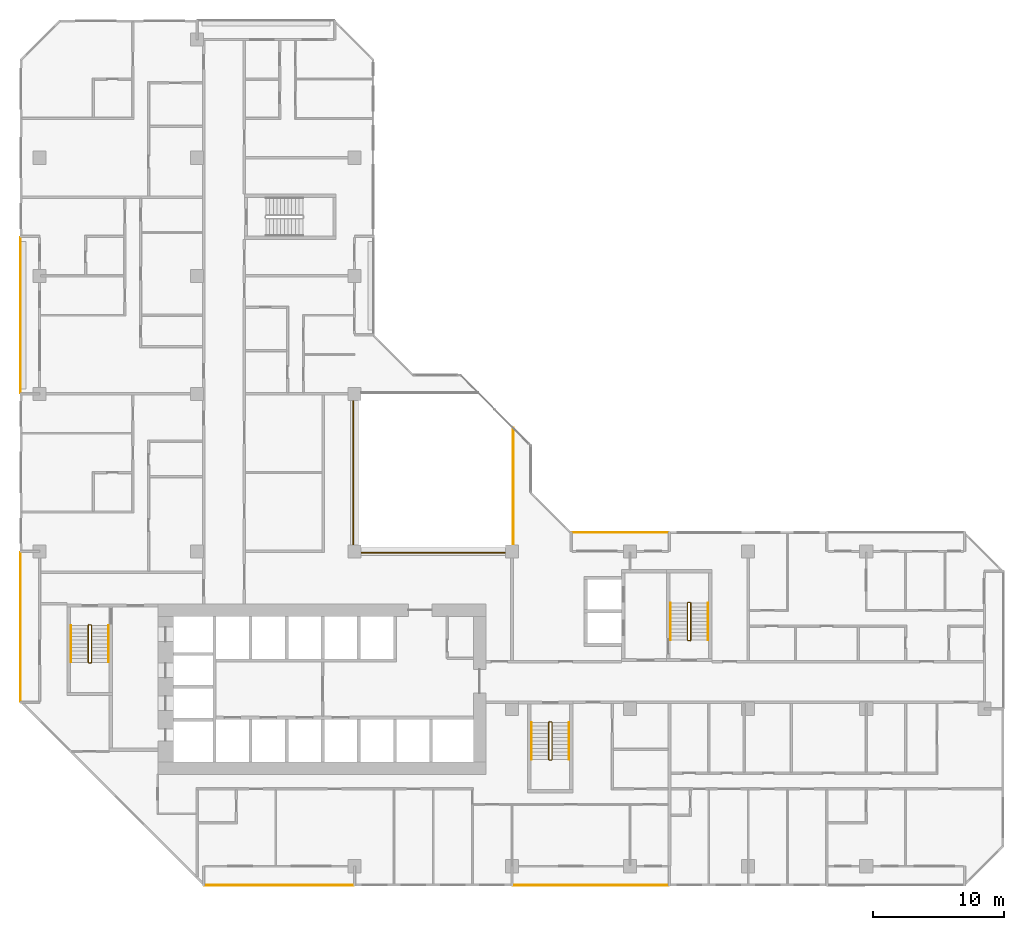
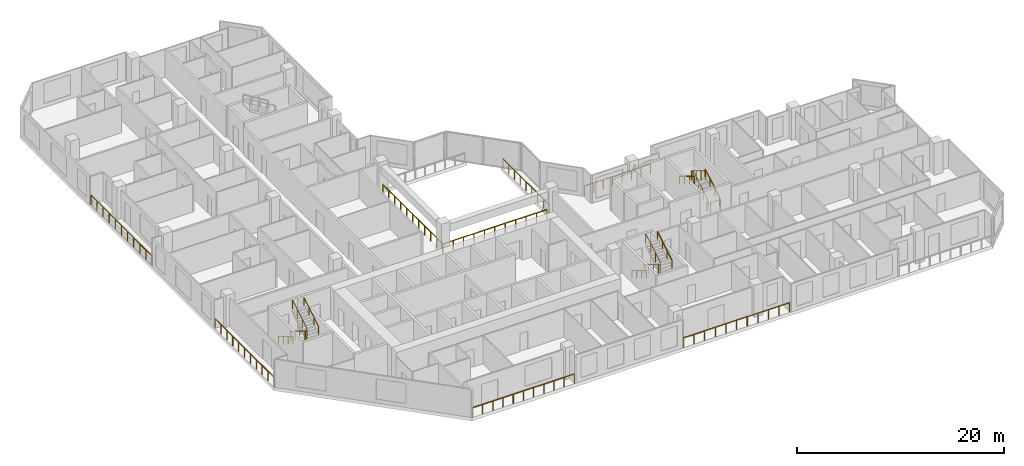
# One storey, part 14 of 15: 16 railings.
"""IFC4 building model written with IfcOpenShell, lengths in metres."""

from ifc_helpers import new_model, si_unit, direction, frame, origin, origin_2d, place, context, subcontext, project, spatial, rectangle, extrude, material, type_object, element, save


model = new_model("IFC4")

# Units and contexts
model_context = context("Model", 3, precision=1e-05, world=origin(), true_north=direction((0.0, 1.0)))
body_context = subcontext(model_context, "Body", "Model", "MODEL_VIEW")
ifc_project = project(units=[si_unit("LENGTHUNIT", "METRE"), si_unit("AREAUNIT", "SQUARE_METRE"), si_unit("VOLUMEUNIT", "CUBIC_METRE"), si_unit("PLANEANGLEUNIT", "RADIAN"), si_unit("MASSUNIT", "GRAM", prefix="KILO")], contexts=[model_context])

# Site, building, storey
site_placement = place(None, origin())
site = spatial("IfcSite", under=ifc_project, at=site_placement, CompositionType="ELEMENT")
building_placement = place(site_placement, origin())
building = spatial("IfcBuilding", under=site, at=building_placement, Name="Chenar Terraces", CompositionType="ELEMENT")
storey_placement = place(building_placement, frame((0.0, 0.0, 136.89990234375)))
storey = spatial("IfcBuildingStorey", under=building, at=storey_placement, Name="L32", CompositionType="ELEMENT", Elevation=136.89990234375)

# Railings
ifc_material_1 = material(Name="Powder-coated steel", Category="steel")
railing_type_1 = type_object("IfcRailingType", Name="Guard 1100 steel rail with glass infill", PredefinedType="GUARDRAIL", material=ifc_material_1)
railing_1_placement = place(storey_placement, frame((23.89990234375, 35.5, 0.0)))
element("IfcRailing", 1, at=railing_1_placement, inside=storey, type_object=railing_type_1, Name="Guard L32-1", PredefinedType="GUARDRAIL", context=body_context, shape_type="SweptSolid", body=[
    extrude(rectangle(XDim=0.06005859375, YDim=0.06005859375, at=origin_2d()), frame((0.0, 0.0, 1.070068359375), z_axis=(0.0, -1.0, 0.0), x_axis=(1.0, 0.0, 0.0)), (0.0, 0.0, 1.0), 11.60009765625),
    extrude(rectangle(XDim=0.06005859375, YDim=0.06005859375, at=origin_2d()), frame((0.0, -11.60009765625, 1.070068359375), z_axis=(1.0, 0.0, 0.0), x_axis=(0.0, 1.0, 0.0)), (0.0, 0.0, 1.0), 11.60009765625),
    extrude(rectangle(XDim=0.050048828125, YDim=0.050048828125, at=origin_2d()), origin(), (0.0, 0.0, 1.0), 1.0400390625),
    extrude(rectangle(XDim=0.050048828125, YDim=0.050048828125, at=origin_2d()), frame((0.0, -1.159912109375, 0.0)), (0.0, 0.0, 1.0), 1.0400390625),
    extrude(rectangle(XDim=0.050048828125, YDim=0.050048828125, at=origin_2d()), frame((0.0, -2.320068359375, 0.0)), (0.0, 0.0, 1.0), 1.0400390625),
    extrude(rectangle(XDim=0.050048828125, YDim=0.050048828125, at=origin_2d()), frame((0.0, -3.47998046875, 0.0)), (0.0, 0.0, 1.0), 1.0400390625),
    extrude(rectangle(XDim=0.050048828125, YDim=0.050048828125, at=origin_2d()), frame((0.0, -4.64013671875, 0.0)), (0.0, 0.0, 1.0), 1.0400390625),
    extrude(rectangle(XDim=0.050048828125, YDim=0.050048828125, at=origin_2d()), frame((0.0, -5.800048828125, 0.0)), (0.0, 0.0, 1.0), 1.0400390625),
    extrude(rectangle(XDim=0.050048828125, YDim=0.050048828125, at=origin_2d()), frame((0.0, -6.9599609375, 0.0)), (0.0, 0.0, 1.0), 1.0400390625),
    extrude(rectangle(XDim=0.050048828125, YDim=0.050048828125, at=origin_2d()), frame((0.0, -8.1201171875, 0.0)), (0.0, 0.0, 1.0), 1.0400390625),
    extrude(rectangle(XDim=0.050048828125, YDim=0.050048828125, at=origin_2d()), frame((0.0, -9.280029296875, 0.0)), (0.0, 0.0, 1.0), 1.0400390625),
    extrude(rectangle(XDim=0.050048828125, YDim=0.050048828125, at=origin_2d()), frame((0.0, -10.440185546875, 0.0)), (0.0, 0.0, 1.0), 1.0400390625),
    extrude(rectangle(XDim=0.050048828125, YDim=0.050048828125, at=origin_2d()), frame((0.0, -11.60009765625, 0.0)), (0.0, 0.0, 1.0), 1.0400390625),
    extrude(rectangle(XDim=0.050048828125, YDim=0.050048828125, at=origin_2d()), frame((1.159912109375, -11.60009765625, 0.0)), (0.0, 0.0, 1.0), 1.0400390625),
    extrude(rectangle(XDim=0.050048828125, YDim=0.050048828125, at=origin_2d()), frame((2.320068359375, -11.60009765625, 0.0)), (0.0, 0.0, 1.0), 1.0400390625),
    extrude(rectangle(XDim=0.050048828125, YDim=0.050048828125, at=origin_2d()), frame((3.47998046875, -11.60009765625, 0.0)), (0.0, 0.0, 1.0), 1.0400390625),
    extrude(rectangle(XDim=0.050048828125, YDim=0.050048828125, at=origin_2d()), frame((4.64013671875, -11.60009765625, 0.0)), (0.0, 0.0, 1.0), 1.0400390625),
    extrude(rectangle(XDim=0.050048828125, YDim=0.050048828125, at=origin_2d()), frame((5.800048828125, -11.60009765625, 0.0)), (0.0, 0.0, 1.0), 1.0400390625),
    extrude(rectangle(XDim=0.050048828125, YDim=0.050048828125, at=origin_2d()), frame((6.9599609375, -11.60009765625, 0.0)), (0.0, 0.0, 1.0), 1.0400390625),
    extrude(rectangle(XDim=0.050048828125, YDim=0.050048828125, at=origin_2d()), frame((8.1201171875, -11.60009765625, 0.0)), (0.0, 0.0, 1.0), 1.0400390625),
    extrude(rectangle(XDim=0.050048828125, YDim=0.050048828125, at=origin_2d()), frame((9.280029296875, -11.60009765625, 0.0)), (0.0, 0.0, 1.0), 1.0400390625),
    extrude(rectangle(XDim=0.050048828125, YDim=0.050048828125, at=origin_2d()), frame((10.440185546875, -11.60009765625, 0.0)), (0.0, 0.0, 1.0), 1.0400390625),
    extrude(rectangle(XDim=0.050048828125, YDim=0.050048828125, at=origin_2d()), frame((11.60009765625, -11.60009765625, 0.0)), (0.0, 0.0, 1.0), 1.0400390625),
])
railing_2_placement = place(storey_placement, frame((36.10009765625, 24.550048828125, 0.0)))
element("IfcRailing", 2, at=railing_2_placement, inside=storey, type_object=railing_type_1, Name="Guard L32-3", PredefinedType="GUARDRAIL", context=body_context, shape_type="SweptSolid", body=[
    extrude(rectangle(XDim=0.06005859375, YDim=0.06005859375, at=origin_2d()), frame((0.0, 0.0, 1.070068359375), z_axis=(0.0, 1.0, 0.0), x_axis=(-1.0, 0.0, 0.0)), (0.0, 0.0, 1.0), 8.849853515625),
    extrude(rectangle(XDim=0.050048828125, YDim=0.050048828125, at=origin_2d()), origin(), (0.0, 0.0, 1.0), 1.0400390625),
    extrude(rectangle(XDim=0.050048828125, YDim=0.050048828125, at=origin_2d()), frame((0.0, 1.106201171875, 0.0)), (0.0, 0.0, 1.0), 1.0400390625),
    extrude(rectangle(XDim=0.050048828125, YDim=0.050048828125, at=origin_2d()), frame((0.0, 2.21240234375, 0.0)), (0.0, 0.0, 1.0), 1.0400390625),
    extrude(rectangle(XDim=0.050048828125, YDim=0.050048828125, at=origin_2d()), frame((0.0, 3.318603515625, 0.0)), (0.0, 0.0, 1.0), 1.0400390625),
    extrude(rectangle(XDim=0.050048828125, YDim=0.050048828125, at=origin_2d()), frame((0.0, 4.4248046875, 0.0)), (0.0, 0.0, 1.0), 1.0400390625),
    extrude(rectangle(XDim=0.050048828125, YDim=0.050048828125, at=origin_2d()), frame((0.0, 5.53125, 0.0)), (0.0, 0.0, 1.0), 1.0400390625),
    extrude(rectangle(XDim=0.050048828125, YDim=0.050048828125, at=origin_2d()), frame((0.0, 6.637451171875, 0.0)), (0.0, 0.0, 1.0), 1.0400390625),
    extrude(rectangle(XDim=0.050048828125, YDim=0.050048828125, at=origin_2d()), frame((0.0, 7.74365234375, 0.0)), (0.0, 0.0, 1.0), 1.0400390625),
    extrude(rectangle(XDim=0.050048828125, YDim=0.050048828125, at=origin_2d()), frame((0.0, 8.849853515625, 0.0)), (0.0, 0.0, 1.0), 1.0400390625),
])
ifc_material_2 = material(Name="Stainless steel and glass", Category="steel")
railing_type_2 = type_object("IfcRailingType", Name="Loggia guard 1150", PredefinedType="GUARDRAIL", material=ifc_material_2)
railing_3_placement = place(storey_placement, frame((47.925048828125, 25.449951171875, 0.0)))
element("IfcRailing", 3, at=railing_3_placement, inside=storey, type_object=railing_type_2, Name="Loggia guard", PredefinedType="GUARDRAIL", context=body_context, shape_type="SweptSolid", body=[
    extrude(rectangle(XDim=0.048095703125, YDim=0.048095703125, at=origin_2d()), frame((0.0, 0.0, 1.1259765625), z_axis=(-1.0, 0.0, 0.0), x_axis=(0.0, -1.0, 0.0)), (0.0, 0.0, 1.0), 7.35009765625),
    extrude(rectangle(XDim=0.0419921875, YDim=0.0419921875, at=origin_2d()), origin(), (0.0, 0.0, 1.0), 1.101806640625),
    extrude(rectangle(XDim=0.0419921875, YDim=0.0419921875, at=origin_2d()), frame((-1.050048828125, 0.0, 0.0)), (0.0, 0.0, 1.0), 1.101806640625),
    extrude(rectangle(XDim=0.0419921875, YDim=0.0419921875, at=origin_2d()), frame((-2.10009765625, 0.0, 0.0)), (0.0, 0.0, 1.0), 1.101806640625),
    extrude(rectangle(XDim=0.0419921875, YDim=0.0419921875, at=origin_2d()), frame((-3.150146484375, 0.0, 0.0)), (0.0, 0.0, 1.0), 1.101806640625),
    extrude(rectangle(XDim=0.0419921875, YDim=0.0419921875, at=origin_2d()), frame((-4.199951171875, 0.0, 0.0)), (0.0, 0.0, 1.0), 1.101806640625),
    extrude(rectangle(XDim=0.0419921875, YDim=0.0419921875, at=origin_2d()), frame((-5.25, 0.0, 0.0)), (0.0, 0.0, 1.0), 1.101806640625),
    extrude(rectangle(XDim=0.0419921875, YDim=0.0419921875, at=origin_2d()), frame((-6.300048828125, 0.0, 0.0)), (0.0, 0.0, 1.0), 1.101806640625),
    extrude(rectangle(XDim=0.0419921875, YDim=0.0419921875, at=origin_2d()), frame((-7.35009765625, 0.0, 0.0)), (0.0, 0.0, 1.0), 1.101806640625),
])
railing_4_placement = place(storey_placement, frame((12.574951171875, -1.449951171875, 0.0)))
element("IfcRailing", 4, at=railing_4_placement, inside=storey, type_object=railing_type_2, Name="Loggia guard", PredefinedType="GUARDRAIL", context=body_context, shape_type="SweptSolid", body=[
    extrude(rectangle(XDim=0.048095703125, YDim=0.048095703125, at=origin_2d()), frame((0.0, 0.0, 1.1259765625), z_axis=(1.0, 0.0, 0.0), x_axis=(0.0, 1.0, 0.0)), (0.0, 0.0, 1.0), 11.35009765625),
    extrude(rectangle(XDim=0.0419921875, YDim=0.0419921875, at=origin_2d()), origin(), (0.0, 0.0, 1.0), 1.101806640625),
    extrude(rectangle(XDim=0.0419921875, YDim=0.0419921875, at=origin_2d()), frame((1.135009765625, 0.0, 0.0)), (0.0, 0.0, 1.0), 1.101806640625),
    extrude(rectangle(XDim=0.0419921875, YDim=0.0419921875, at=origin_2d()), frame((2.27001953125, 0.0, 0.0)), (0.0, 0.0, 1.0), 1.101806640625),
    extrude(rectangle(XDim=0.0419921875, YDim=0.0419921875, at=origin_2d()), frame((3.405029296875, 0.0, 0.0)), (0.0, 0.0, 1.0), 1.101806640625),
    extrude(rectangle(XDim=0.0419921875, YDim=0.0419921875, at=origin_2d()), frame((4.5400390625, 0.0, 0.0)), (0.0, 0.0, 1.0), 1.101806640625),
    extrude(rectangle(XDim=0.0419921875, YDim=0.0419921875, at=origin_2d()), frame((5.675048828125, 0.0, 0.0)), (0.0, 0.0, 1.0), 1.101806640625),
    extrude(rectangle(XDim=0.0419921875, YDim=0.0419921875, at=origin_2d()), frame((6.81005859375, 0.0, 0.0)), (0.0, 0.0, 1.0), 1.101806640625),
    extrude(rectangle(XDim=0.0419921875, YDim=0.0419921875, at=origin_2d()), frame((7.945068359375, 0.0, 0.0)), (0.0, 0.0, 1.0), 1.101806640625),
    extrude(rectangle(XDim=0.0419921875, YDim=0.0419921875, at=origin_2d()), frame((9.080078125, 0.0, 0.0)), (0.0, 0.0, 1.0), 1.101806640625),
    extrude(rectangle(XDim=0.0419921875, YDim=0.0419921875, at=origin_2d()), frame((10.215087890625, 0.0, 0.0)), (0.0, 0.0, 1.0), 1.101806640625),
    extrude(rectangle(XDim=0.0419921875, YDim=0.0419921875, at=origin_2d()), frame((11.35009765625, 0.0, 0.0)), (0.0, 0.0, 1.0), 1.101806640625),
])
railing_5_placement = place(storey_placement, frame((36.074951171875, -1.449951171875, 0.0)))
element("IfcRailing", 5, at=railing_5_placement, inside=storey, type_object=railing_type_2, Name="Loggia guard", PredefinedType="GUARDRAIL", context=body_context, shape_type="SweptSolid", body=[
    extrude(rectangle(XDim=0.048095703125, YDim=0.048095703125, at=origin_2d()), frame((0.0, 0.0, 1.1259765625), z_axis=(1.0, 0.0, 0.0), x_axis=(0.0, 1.0, 0.0)), (0.0, 0.0, 1.0), 11.85009765625),
    extrude(rectangle(XDim=0.0419921875, YDim=0.0419921875, at=origin_2d()), origin(), (0.0, 0.0, 1.0), 1.101806640625),
    extrude(rectangle(XDim=0.0419921875, YDim=0.0419921875, at=origin_2d()), frame((1.18505859375, 0.0, 0.0)), (0.0, 0.0, 1.0), 1.101806640625),
    extrude(rectangle(XDim=0.0419921875, YDim=0.0419921875, at=origin_2d()), frame((2.3701171875, 0.0, 0.0)), (0.0, 0.0, 1.0), 1.101806640625),
    extrude(rectangle(XDim=0.0419921875, YDim=0.0419921875, at=origin_2d()), frame((3.554931640625, 0.0, 0.0)), (0.0, 0.0, 1.0), 1.101806640625),
    extrude(rectangle(XDim=0.0419921875, YDim=0.0419921875, at=origin_2d()), frame((4.739990234375, 0.0, 0.0)), (0.0, 0.0, 1.0), 1.101806640625),
    extrude(rectangle(XDim=0.0419921875, YDim=0.0419921875, at=origin_2d()), frame((5.925048828125, 0.0, 0.0)), (0.0, 0.0, 1.0), 1.101806640625),
    extrude(rectangle(XDim=0.0419921875, YDim=0.0419921875, at=origin_2d()), frame((7.110107421875, 0.0, 0.0)), (0.0, 0.0, 1.0), 1.101806640625),
    extrude(rectangle(XDim=0.0419921875, YDim=0.0419921875, at=origin_2d()), frame((8.295166015625, 0.0, 0.0)), (0.0, 0.0, 1.0), 1.101806640625),
    extrude(rectangle(XDim=0.0419921875, YDim=0.0419921875, at=origin_2d()), frame((9.47998046875, 0.0, 0.0)), (0.0, 0.0, 1.0), 1.101806640625),
    extrude(rectangle(XDim=0.0419921875, YDim=0.0419921875, at=origin_2d()), frame((10.6650390625, 0.0, 0.0)), (0.0, 0.0, 1.0), 1.101806640625),
    extrude(rectangle(XDim=0.0419921875, YDim=0.0419921875, at=origin_2d()), frame((11.85009765625, 0.0, 0.0)), (0.0, 0.0, 1.0), 1.101806640625),
])
railing_6_placement = place(storey_placement, frame((-1.449951171875, 47.925048828125, 0.0)))
element("IfcRailing", 6, at=railing_6_placement, inside=storey, type_object=railing_type_2, Name="Loggia guard", PredefinedType="GUARDRAIL", context=body_context, shape_type="SweptSolid", body=[
    extrude(rectangle(XDim=0.048095703125, YDim=0.048095703125, at=origin_2d()), frame((0.0, 0.0, 1.1259765625), z_axis=(0.0, -1.0, 0.0), x_axis=(1.0, 0.0, 0.0)), (0.0, 0.0, 1.0), 11.85009765625),
    extrude(rectangle(XDim=0.0419921875, YDim=0.0419921875, at=origin_2d()), origin(), (0.0, 0.0, 1.0), 1.101806640625),
    extrude(rectangle(XDim=0.0419921875, YDim=0.0419921875, at=origin_2d()), frame((0.0, -1.18505859375, 0.0)), (0.0, 0.0, 1.0), 1.101806640625),
    extrude(rectangle(XDim=0.0419921875, YDim=0.0419921875, at=origin_2d()), frame((0.0, -2.3701171875, 0.0)), (0.0, 0.0, 1.0), 1.101806640625),
    extrude(rectangle(XDim=0.0419921875, YDim=0.0419921875, at=origin_2d()), frame((0.0, -3.554931640625, 0.0)), (0.0, 0.0, 1.0), 1.101806640625),
    extrude(rectangle(XDim=0.0419921875, YDim=0.0419921875, at=origin_2d()), frame((0.0, -4.739990234375, 0.0)), (0.0, 0.0, 1.0), 1.101806640625),
    extrude(rectangle(XDim=0.0419921875, YDim=0.0419921875, at=origin_2d()), frame((0.0, -5.925048828125, 0.0)), (0.0, 0.0, 1.0), 1.101806640625),
    extrude(rectangle(XDim=0.0419921875, YDim=0.0419921875, at=origin_2d()), frame((0.0, -7.110107421875, 0.0)), (0.0, 0.0, 1.0), 1.101806640625),
    extrude(rectangle(XDim=0.0419921875, YDim=0.0419921875, at=origin_2d()), frame((0.0, -8.295166015625, 0.0)), (0.0, 0.0, 1.0), 1.101806640625),
    extrude(rectangle(XDim=0.0419921875, YDim=0.0419921875, at=origin_2d()), frame((0.0, -9.47998046875, 0.0)), (0.0, 0.0, 1.0), 1.101806640625),
    extrude(rectangle(XDim=0.0419921875, YDim=0.0419921875, at=origin_2d()), frame((0.0, -10.6650390625, 0.0)), (0.0, 0.0, 1.0), 1.101806640625),
    extrude(rectangle(XDim=0.0419921875, YDim=0.0419921875, at=origin_2d()), frame((0.0, -11.85009765625, 0.0)), (0.0, 0.0, 1.0), 1.101806640625),
])
railing_7_placement = place(storey_placement, frame((-1.449951171875, 23.925048828125, 0.0)))
element("IfcRailing", 7, at=railing_7_placement, inside=storey, type_object=railing_type_2, Name="Loggia guard", PredefinedType="GUARDRAIL", context=body_context, shape_type="SweptSolid", body=[
    extrude(rectangle(XDim=0.048095703125, YDim=0.048095703125, at=origin_2d()), frame((0.0, 0.0, 1.1259765625), z_axis=(0.0, -1.0, 0.0), x_axis=(1.0, 0.0, 0.0)), (0.0, 0.0, 1.0), 11.35009765625),
    extrude(rectangle(XDim=0.0419921875, YDim=0.0419921875, at=origin_2d()), origin(), (0.0, 0.0, 1.0), 1.101806640625),
    extrude(rectangle(XDim=0.0419921875, YDim=0.0419921875, at=origin_2d()), frame((0.0, -1.135009765625, 0.0)), (0.0, 0.0, 1.0), 1.101806640625),
    extrude(rectangle(XDim=0.0419921875, YDim=0.0419921875, at=origin_2d()), frame((0.0, -2.27001953125, 0.0)), (0.0, 0.0, 1.0), 1.101806640625),
    extrude(rectangle(XDim=0.0419921875, YDim=0.0419921875, at=origin_2d()), frame((0.0, -3.405029296875, 0.0)), (0.0, 0.0, 1.0), 1.101806640625),
    extrude(rectangle(XDim=0.0419921875, YDim=0.0419921875, at=origin_2d()), frame((0.0, -4.5400390625, 0.0)), (0.0, 0.0, 1.0), 1.101806640625),
    extrude(rectangle(XDim=0.0419921875, YDim=0.0419921875, at=origin_2d()), frame((0.0, -5.675048828125, 0.0)), (0.0, 0.0, 1.0), 1.101806640625),
    extrude(rectangle(XDim=0.0419921875, YDim=0.0419921875, at=origin_2d()), frame((0.0, -6.81005859375, 0.0)), (0.0, 0.0, 1.0), 1.101806640625),
    extrude(rectangle(XDim=0.0419921875, YDim=0.0419921875, at=origin_2d()), frame((0.0, -7.945068359375, 0.0)), (0.0, 0.0, 1.0), 1.101806640625),
    extrude(rectangle(XDim=0.0419921875, YDim=0.0419921875, at=origin_2d()), frame((0.0, -9.080078125, 0.0)), (0.0, 0.0, 1.0), 1.101806640625),
    extrude(rectangle(XDim=0.0419921875, YDim=0.0419921875, at=origin_2d()), frame((0.0, -10.215087890625, 0.0)), (0.0, 0.0, 1.0), 1.101806640625),
    extrude(rectangle(XDim=0.0419921875, YDim=0.0419921875, at=origin_2d()), frame((0.0, -11.35009765625, 0.0)), (0.0, 0.0, 1.0), 1.101806640625),
])
ifc_material_3 = material(Name="Powder-coated steel", Category="steel")
railing_type_3 = type_object("IfcRailingType", Name="Stair guard 1100", PredefinedType="GUARDRAIL", material=ifc_material_3)
railing_8_placement = place(storey_placement, frame((3.949951171875, 18.35009765625, 3.75)))
element("IfcRailing", 8, at=railing_8_placement, inside=storey, type_object=railing_type_3, Name="L32 ST1 stair guard 1", PredefinedType="GUARDRAIL", context=body_context, shape_type="SweptSolid", body=[
    extrude(rectangle(XDim=0.048095703125, YDim=0.048095703125, at=origin_2d()), frame((0.0, 0.0, 1.076171875), z_axis=(0.0, -0.854202870247, -0.519939858505), x_axis=(1.0, 0.0, 0.0)), (0.0, 0.0, 1.0), 3.278076171875),
    extrude(rectangle(XDim=0.048095703125, YDim=0.048095703125, at=origin_2d()), frame((0.0, -2.800048828125, -0.62841796875), z_axis=(-0.270899902878, -0.270899902878, -0.923702595667), x_axis=(0.707106781187, -0.707106781187, 0.0)), (0.0, 0.0, 1.0), 0.184814453125),
    extrude(rectangle(XDim=0.048095703125, YDim=0.048095703125, at=origin_2d()), frame((-0.050048828125, -2.85009765625, -0.798828125), z_axis=(-1.0, 0.0, 0.0), x_axis=(0.0, -1.0, 0.0)), (0.0, 0.0, 1.0), 0.14990234375),
    extrude(rectangle(XDim=0.048095703125, YDim=0.048095703125, at=origin_2d()), frame((-0.199951171875, -2.85009765625, -0.798828125), z_axis=(-0.707106781187, 0.707106781187, 0.0), x_axis=(-0.707106781187, -0.707106781187, 0.0)), (0.0, 0.0, 1.0), 0.07080078125),
    extrude(rectangle(XDim=0.048095703125, YDim=0.048095703125, at=origin_2d()), frame((-0.25, -2.800048828125, -0.798828125), z_axis=(0.0, 0.854202870247, -0.519939858505), x_axis=(-1.0, 0.0, 0.0)), (0.0, 0.0, 1.0), 3.278076171875),
    extrude(rectangle(XDim=0.048095703125, YDim=0.048095703125, at=origin_2d()), frame((-0.25, 0.0, -2.50341796875), z_axis=(0.270996696079, 0.269674760976, -0.924032636873), x_axis=(-0.705375805398, 0.708833529934, 0.0)), (0.0, 0.0, 1.0), 0.1845703125),
    extrude(rectangle(XDim=0.048095703125, YDim=0.048095703125, at=origin_2d()), frame((-0.199951171875, 0.0498046875, -2.673828125), z_axis=(1.0, 0.0, 0.0), x_axis=(0.0, 1.0, 0.0)), (0.0, 0.0, 1.0), 0.14990234375),
    extrude(rectangle(XDim=0.0419921875, YDim=0.0419921875, at=origin_2d()), origin(), (0.0, 0.0, 1.0), 1.052001953125),
    extrude(rectangle(XDim=0.0419921875, YDim=0.0419921875, at=origin_2d()), frame((0.0, -0.933349609375, -0.568115234375)), (0.0, 0.0, 1.0), 1.052001953125),
    extrude(rectangle(XDim=0.0419921875, YDim=0.0419921875, at=origin_2d()), frame((0.0, -1.86669921875, -1.13623046875)), (0.0, 0.0, 1.0), 1.052001953125),
    extrude(rectangle(XDim=0.0419921875, YDim=0.0419921875, at=origin_2d()), frame((0.0, -2.800048828125, -1.704345703125)), (0.0, 0.0, 1.0), 1.052001953125),
    extrude(rectangle(XDim=0.0419921875, YDim=0.0419921875, at=origin_2d()), frame((-0.050048828125, -2.85009765625, -1.875)), (0.0, 0.0, 1.0), 1.052001953125),
    extrude(rectangle(XDim=0.0419921875, YDim=0.0419921875, at=origin_2d()), frame((-0.199951171875, -2.85009765625, -1.875)), (0.0, 0.0, 1.0), 1.052001953125),
    extrude(rectangle(XDim=0.0419921875, YDim=0.0419921875, at=origin_2d()), frame((-0.25, -2.800048828125, -1.875)), (0.0, 0.0, 1.0), 1.052001953125),
    extrude(rectangle(XDim=0.0419921875, YDim=0.0419921875, at=origin_2d()), frame((-0.25, -1.86669921875, -2.443115234375)), (0.0, 0.0, 1.0), 1.052001953125),
    extrude(rectangle(XDim=0.0419921875, YDim=0.0419921875, at=origin_2d()), frame((-0.25, -0.933349609375, -3.01123046875)), (0.0, 0.0, 1.0), 1.052001953125),
    extrude(rectangle(XDim=0.0419921875, YDim=0.0419921875, at=origin_2d()), frame((-0.25, 0.0, -3.579345703125)), (0.0, 0.0, 1.0), 1.052001953125),
    extrude(rectangle(XDim=0.0419921875, YDim=0.0419921875, at=origin_2d()), frame((-0.199951171875, 0.0498046875, -3.75)), (0.0, 0.0, 1.0), 1.052001953125),
    extrude(rectangle(XDim=0.0419921875, YDim=0.0419921875, at=origin_2d()), frame((-0.050048828125, 0.0498046875, -3.75)), (0.0, 0.0, 1.0), 1.052001953125),
])
railing_9_placement = place(storey_placement, frame((39.050048828125, 10.949951171875, 3.75)))
element("IfcRailing", 9, at=railing_9_placement, inside=storey, type_object=railing_type_3, Name="L32 ST2 stair guard 1", PredefinedType="GUARDRAIL", context=body_context, shape_type="SweptSolid", body=[
    extrude(rectangle(XDim=0.048095703125, YDim=0.048095703125, at=origin_2d()), frame((0.0, 0.0, 1.076171875), z_axis=(0.0, -0.854202870247, -0.519939858505), x_axis=(1.0, 0.0, 0.0)), (0.0, 0.0, 1.0), 3.278076171875),
    extrude(rectangle(XDim=0.048095703125, YDim=0.048095703125, at=origin_2d()), frame((0.0, -2.800048828125, -0.62841796875), z_axis=(-0.270996696079, -0.269674760976, -0.924032636873), x_axis=(0.705375805398, -0.708833529934, 0.0)), (0.0, 0.0, 1.0), 0.1845703125),
    extrude(rectangle(XDim=0.048095703125, YDim=0.048095703125, at=origin_2d()), frame((-0.050048828125, -2.849853515625, -0.798828125), z_axis=(-1.0, 0.0, 0.0), x_axis=(0.0, -1.0, 0.0)), (0.0, 0.0, 1.0), 0.14990234375),
    extrude(rectangle(XDim=0.048095703125, YDim=0.048095703125, at=origin_2d()), frame((-0.199951171875, -2.849853515625, -0.798828125), z_axis=(-0.708833529934, 0.705375805398, 0.0), x_axis=(-0.705375805398, -0.708833529934, 0.0)), (0.0, 0.0, 1.0), 0.070556640625),
    extrude(rectangle(XDim=0.048095703125, YDim=0.048095703125, at=origin_2d()), frame((-0.25, -2.800048828125, -0.798828125), z_axis=(0.0, 0.854202870247, -0.519939858505), x_axis=(-1.0, 0.0, 0.0)), (0.0, 0.0, 1.0), 3.278076171875),
    extrude(rectangle(XDim=0.048095703125, YDim=0.048095703125, at=origin_2d()), frame((-0.25, 0.0, -2.50341796875), z_axis=(0.270899902878, 0.270899902878, -0.923702595667), x_axis=(-0.707106781187, 0.707106781187, 0.0)), (0.0, 0.0, 1.0), 0.184814453125),
    extrude(rectangle(XDim=0.048095703125, YDim=0.048095703125, at=origin_2d()), frame((-0.199951171875, 0.050048828125, -2.673828125), z_axis=(1.0, 0.0, 0.0), x_axis=(0.0, 1.0, 0.0)), (0.0, 0.0, 1.0), 0.14990234375),
    extrude(rectangle(XDim=0.0419921875, YDim=0.0419921875, at=origin_2d()), origin(), (0.0, 0.0, 1.0), 1.052001953125),
    extrude(rectangle(XDim=0.0419921875, YDim=0.0419921875, at=origin_2d()), frame((0.0, -0.933349609375, -0.568115234375)), (0.0, 0.0, 1.0), 1.052001953125),
    extrude(rectangle(XDim=0.0419921875, YDim=0.0419921875, at=origin_2d()), frame((0.0, -1.86669921875, -1.13623046875)), (0.0, 0.0, 1.0), 1.052001953125),
    extrude(rectangle(XDim=0.0419921875, YDim=0.0419921875, at=origin_2d()), frame((0.0, -2.800048828125, -1.704345703125)), (0.0, 0.0, 1.0), 1.052001953125),
    extrude(rectangle(XDim=0.0419921875, YDim=0.0419921875, at=origin_2d()), frame((-0.050048828125, -2.849853515625, -1.875)), (0.0, 0.0, 1.0), 1.052001953125),
    extrude(rectangle(XDim=0.0419921875, YDim=0.0419921875, at=origin_2d()), frame((-0.199951171875, -2.849853515625, -1.875)), (0.0, 0.0, 1.0), 1.052001953125),
    extrude(rectangle(XDim=0.0419921875, YDim=0.0419921875, at=origin_2d()), frame((-0.25, -2.800048828125, -1.875)), (0.0, 0.0, 1.0), 1.052001953125),
    extrude(rectangle(XDim=0.0419921875, YDim=0.0419921875, at=origin_2d()), frame((-0.25, -1.86669921875, -2.443115234375)), (0.0, 0.0, 1.0), 1.052001953125),
    extrude(rectangle(XDim=0.0419921875, YDim=0.0419921875, at=origin_2d()), frame((-0.25, -0.933349609375, -3.01123046875)), (0.0, 0.0, 1.0), 1.052001953125),
    extrude(rectangle(XDim=0.0419921875, YDim=0.0419921875, at=origin_2d()), frame((-0.25, 0.0, -3.579345703125)), (0.0, 0.0, 1.0), 1.052001953125),
    extrude(rectangle(XDim=0.0419921875, YDim=0.0419921875, at=origin_2d()), frame((-0.199951171875, 0.050048828125, -3.75)), (0.0, 0.0, 1.0), 1.052001953125),
    extrude(rectangle(XDim=0.0419921875, YDim=0.0419921875, at=origin_2d()), frame((-0.050048828125, 0.050048828125, -3.75)), (0.0, 0.0, 1.0), 1.052001953125),
])
railing_10_placement = place(storey_placement, frame((49.375, 17.25, 3.75)))
element("IfcRailing", 10, at=railing_10_placement, inside=storey, type_object=railing_type_3, Name="L32 ST3 stair guard 1", PredefinedType="GUARDRAIL", context=body_context, shape_type="SweptSolid", body=[
    extrude(rectangle(XDim=0.048095703125, YDim=0.048095703125, at=origin_2d()), frame((0.0, 0.0, 1.076171875), z_axis=(0.0, 0.854202870247, -0.519939858505), x_axis=(-1.0, 0.0, 0.0)), (0.0, 0.0, 1.0), 3.278076171875),
    extrude(rectangle(XDim=0.048095703125, YDim=0.048095703125, at=origin_2d()), frame((0.0, 2.800048828125, -0.62841796875), z_axis=(0.270899902878, 0.270899902878, -0.923702595667), x_axis=(-0.707106781187, 0.707106781187, 0.0)), (0.0, 0.0, 1.0), 0.184814453125),
    extrude(rectangle(XDim=0.048095703125, YDim=0.048095703125, at=origin_2d()), frame((0.050048828125, 2.85009765625, -0.798828125), z_axis=(1.0, 0.0, 0.0), x_axis=(0.0, 1.0, 0.0)), (0.0, 0.0, 1.0), 0.14990234375),
    extrude(rectangle(XDim=0.048095703125, YDim=0.048095703125, at=origin_2d()), frame((0.199951171875, 2.85009765625, -0.798828125), z_axis=(0.707106781187, -0.707106781187, 0.0), x_axis=(0.707106781187, 0.707106781187, 0.0)), (0.0, 0.0, 1.0), 0.07080078125),
    extrude(rectangle(XDim=0.048095703125, YDim=0.048095703125, at=origin_2d()), frame((0.25, 2.800048828125, -0.798828125), z_axis=(0.0, -0.854202870247, -0.519939858505), x_axis=(1.0, 0.0, 0.0)), (0.0, 0.0, 1.0), 3.278076171875),
    extrude(rectangle(XDim=0.048095703125, YDim=0.048095703125, at=origin_2d()), frame((0.25, 0.0, -2.50341796875), z_axis=(-0.270899902878, -0.270899902878, -0.923702595667), x_axis=(0.707106781187, -0.707106781187, 0.0)), (0.0, 0.0, 1.0), 0.184814453125),
    extrude(rectangle(XDim=0.048095703125, YDim=0.048095703125, at=origin_2d()), frame((0.199951171875, -0.050048828125, -2.673828125), z_axis=(-1.0, 0.0, 0.0), x_axis=(0.0, -1.0, 0.0)), (0.0, 0.0, 1.0), 0.14990234375),
    extrude(rectangle(XDim=0.0419921875, YDim=0.0419921875, at=origin_2d()), origin(), (0.0, 0.0, 1.0), 1.052001953125),
    extrude(rectangle(XDim=0.0419921875, YDim=0.0419921875, at=origin_2d()), frame((0.0, 0.933349609375, -0.568115234375)), (0.0, 0.0, 1.0), 1.052001953125),
    extrude(rectangle(XDim=0.0419921875, YDim=0.0419921875, at=origin_2d()), frame((0.0, 1.86669921875, -1.13623046875)), (0.0, 0.0, 1.0), 1.052001953125),
    extrude(rectangle(XDim=0.0419921875, YDim=0.0419921875, at=origin_2d()), frame((0.0, 2.800048828125, -1.704345703125)), (0.0, 0.0, 1.0), 1.052001953125),
    extrude(rectangle(XDim=0.0419921875, YDim=0.0419921875, at=origin_2d()), frame((0.050048828125, 2.85009765625, -1.875)), (0.0, 0.0, 1.0), 1.052001953125),
    extrude(rectangle(XDim=0.0419921875, YDim=0.0419921875, at=origin_2d()), frame((0.199951171875, 2.85009765625, -1.875)), (0.0, 0.0, 1.0), 1.052001953125),
    extrude(rectangle(XDim=0.0419921875, YDim=0.0419921875, at=origin_2d()), frame((0.25, 2.800048828125, -1.875)), (0.0, 0.0, 1.0), 1.052001953125),
    extrude(rectangle(XDim=0.0419921875, YDim=0.0419921875, at=origin_2d()), frame((0.25, 1.86669921875, -2.443115234375)), (0.0, 0.0, 1.0), 1.052001953125),
    extrude(rectangle(XDim=0.0419921875, YDim=0.0419921875, at=origin_2d()), frame((0.25, 0.933349609375, -3.01123046875)), (0.0, 0.0, 1.0), 1.052001953125),
    extrude(rectangle(XDim=0.0419921875, YDim=0.0419921875, at=origin_2d()), frame((0.25, 0.0, -3.579345703125)), (0.0, 0.0, 1.0), 1.052001953125),
    extrude(rectangle(XDim=0.0419921875, YDim=0.0419921875, at=origin_2d()), frame((0.199951171875, -0.050048828125, -3.75)), (0.0, 0.0, 1.0), 1.052001953125),
    extrude(rectangle(XDim=0.0419921875, YDim=0.0419921875, at=origin_2d()), frame((0.050048828125, -0.050048828125, -3.75)), (0.0, 0.0, 1.0), 1.052001953125),
])
ifc_material_4 = material(Name="Powder-coated steel", Category="steel")
railing_type_4 = type_object("IfcRailingType", Name="Stair handrail 900", PredefinedType="HANDRAIL", material=ifc_material_4)
railing_11_placement = place(storey_placement, frame((2.39990234375, 18.35009765625, 0.170654296875)))
element("IfcRailing", 11, at=railing_11_placement, inside=storey, type_object=railing_type_4, Name="L32 ST1 stair handrail 1", PredefinedType="HANDRAIL", context=body_context, shape_type="SweptSolid", body=[
    extrude(rectangle(XDim=0.048095703125, YDim=0.048095703125, at=origin_2d()), frame((0.0, 0.0, 0.8759765625), z_axis=(0.0, -0.854202870247, 0.519939858505), x_axis=(1.0, 0.0, 0.0)), (0.0, 0.0, 1.0), 3.278076171875),
    extrude(rectangle(XDim=0.0419921875, YDim=0.0419921875, at=origin_2d()), origin(), (0.0, 0.0, 1.0), 0.851806640625),
    extrude(rectangle(XDim=0.0419921875, YDim=0.0419921875, at=origin_2d()), frame((0.0, -0.933349609375, 0.568115234375)), (0.0, 0.0, 1.0), 0.851806640625),
    extrude(rectangle(XDim=0.0419921875, YDim=0.0419921875, at=origin_2d()), frame((0.0, -1.86669921875, 1.13623046875)), (0.0, 0.0, 1.0), 0.851806640625),
    extrude(rectangle(XDim=0.0419921875, YDim=0.0419921875, at=origin_2d()), frame((0.0, -2.800048828125, 1.704345703125)), (0.0, 0.0, 1.0), 0.851806640625),
])
railing_12_placement = place(storey_placement, frame((5.25, 15.550048828125, 2.045654296875)))
element("IfcRailing", 12, at=railing_12_placement, inside=storey, type_object=railing_type_4, Name="L32 ST1 stair handrail 2", PredefinedType="HANDRAIL", context=body_context, shape_type="SweptSolid", body=[
    extrude(rectangle(XDim=0.048095703125, YDim=0.048095703125, at=origin_2d()), frame((0.0, 0.0, 0.8759765625), z_axis=(0.0, 0.854202870247, 0.519939858505), x_axis=(-1.0, 0.0, 0.0)), (0.0, 0.0, 1.0), 3.278076171875),
    extrude(rectangle(XDim=0.0419921875, YDim=0.0419921875, at=origin_2d()), origin(), (0.0, 0.0, 1.0), 0.851806640625),
    extrude(rectangle(XDim=0.0419921875, YDim=0.0419921875, at=origin_2d()), frame((0.0, 0.933349609375, 0.568115234375)), (0.0, 0.0, 1.0), 0.851806640625),
    extrude(rectangle(XDim=0.0419921875, YDim=0.0419921875, at=origin_2d()), frame((0.0, 1.86669921875, 1.13623046875)), (0.0, 0.0, 1.0), 0.851806640625),
    extrude(rectangle(XDim=0.0419921875, YDim=0.0419921875, at=origin_2d()), frame((0.0, 2.800048828125, 1.704345703125)), (0.0, 0.0, 1.0), 0.851806640625),
])
railing_13_placement = place(storey_placement, frame((37.5, 10.949951171875, 0.170654296875)))
element("IfcRailing", 13, at=railing_13_placement, inside=storey, type_object=railing_type_4, Name="L32 ST2 stair handrail 1", PredefinedType="HANDRAIL", context=body_context, shape_type="SweptSolid", body=[
    extrude(rectangle(XDim=0.048095703125, YDim=0.048095703125, at=origin_2d()), frame((0.0, 0.0, 0.8759765625), z_axis=(0.0, -0.854202870247, 0.519939858505), x_axis=(1.0, 0.0, 0.0)), (0.0, 0.0, 1.0), 3.278076171875),
    extrude(rectangle(XDim=0.0419921875, YDim=0.0419921875, at=origin_2d()), origin(), (0.0, 0.0, 1.0), 0.851806640625),
    extrude(rectangle(XDim=0.0419921875, YDim=0.0419921875, at=origin_2d()), frame((0.0, -0.933349609375, 0.568115234375)), (0.0, 0.0, 1.0), 0.851806640625),
    extrude(rectangle(XDim=0.0419921875, YDim=0.0419921875, at=origin_2d()), frame((0.0, -1.86669921875, 1.13623046875)), (0.0, 0.0, 1.0), 0.851806640625),
    extrude(rectangle(XDim=0.0419921875, YDim=0.0419921875, at=origin_2d()), frame((0.0, -2.800048828125, 1.704345703125)), (0.0, 0.0, 1.0), 0.851806640625),
])
for number, where, name in (
    (14, (40.35009765625, 8.14990234375, 2.045654296875), "L32 ST2 stair handrail 2"),
    (15, (50.925048828125, 17.25, 0.170654296875), "L32 ST3 stair handrail 1"),
):
    element("IfcRailing", number, at=place(storey_placement, frame(where)), inside=storey, type_object=railing_type_4, Name=name, PredefinedType="HANDRAIL", context=body_context, shape_type="SweptSolid", body=[
        extrude(rectangle(XDim=0.048095703125, YDim=0.048095703125, at=origin_2d()), frame((0.0, 0.0, 0.8759765625), z_axis=(0.0, 0.854202870247, 0.519939858505), x_axis=(-1.0, 0.0, 0.0)), (0.0, 0.0, 1.0), 3.278076171875),
        extrude(rectangle(XDim=0.0419921875, YDim=0.0419921875, at=origin_2d()), origin(), (0.0, 0.0, 1.0), 0.851806640625),
        extrude(rectangle(XDim=0.0419921875, YDim=0.0419921875, at=origin_2d()), frame((0.0, 0.933349609375, 0.568115234375)), (0.0, 0.0, 1.0), 0.851806640625),
        extrude(rectangle(XDim=0.0419921875, YDim=0.0419921875, at=origin_2d()), frame((0.0, 1.86669921875, 1.13623046875)), (0.0, 0.0, 1.0), 0.851806640625),
        extrude(rectangle(XDim=0.0419921875, YDim=0.0419921875, at=origin_2d()), frame((0.0, 2.800048828125, 1.704345703125)), (0.0, 0.0, 1.0), 0.851806640625),
    ])
railing_14_placement = place(storey_placement, frame((48.074951171875, 20.050048828125, 2.045654296875)))
element("IfcRailing", 16, at=railing_14_placement, inside=storey, type_object=railing_type_4, Name="L32 ST3 stair handrail 2", PredefinedType="HANDRAIL", context=body_context, shape_type="SweptSolid", body=[
    extrude(rectangle(XDim=0.048095703125, YDim=0.048095703125, at=origin_2d()), frame((0.0, 0.0, 0.8759765625), z_axis=(0.0, -0.854202870247, 0.519939858505), x_axis=(1.0, 0.0, 0.0)), (0.0, 0.0, 1.0), 3.278076171875),
    extrude(rectangle(XDim=0.0419921875, YDim=0.0419921875, at=origin_2d()), origin(), (0.0, 0.0, 1.0), 0.851806640625),
    extrude(rectangle(XDim=0.0419921875, YDim=0.0419921875, at=origin_2d()), frame((0.0, -0.933349609375, 0.568115234375)), (0.0, 0.0, 1.0), 0.851806640625),
    extrude(rectangle(XDim=0.0419921875, YDim=0.0419921875, at=origin_2d()), frame((0.0, -1.86669921875, 1.13623046875)), (0.0, 0.0, 1.0), 0.851806640625),
    extrude(rectangle(XDim=0.0419921875, YDim=0.0419921875, at=origin_2d()), frame((0.0, -2.800048828125, 1.704345703125)), (0.0, 0.0, 1.0), 0.851806640625),
])

save(model, "model.ifc")
